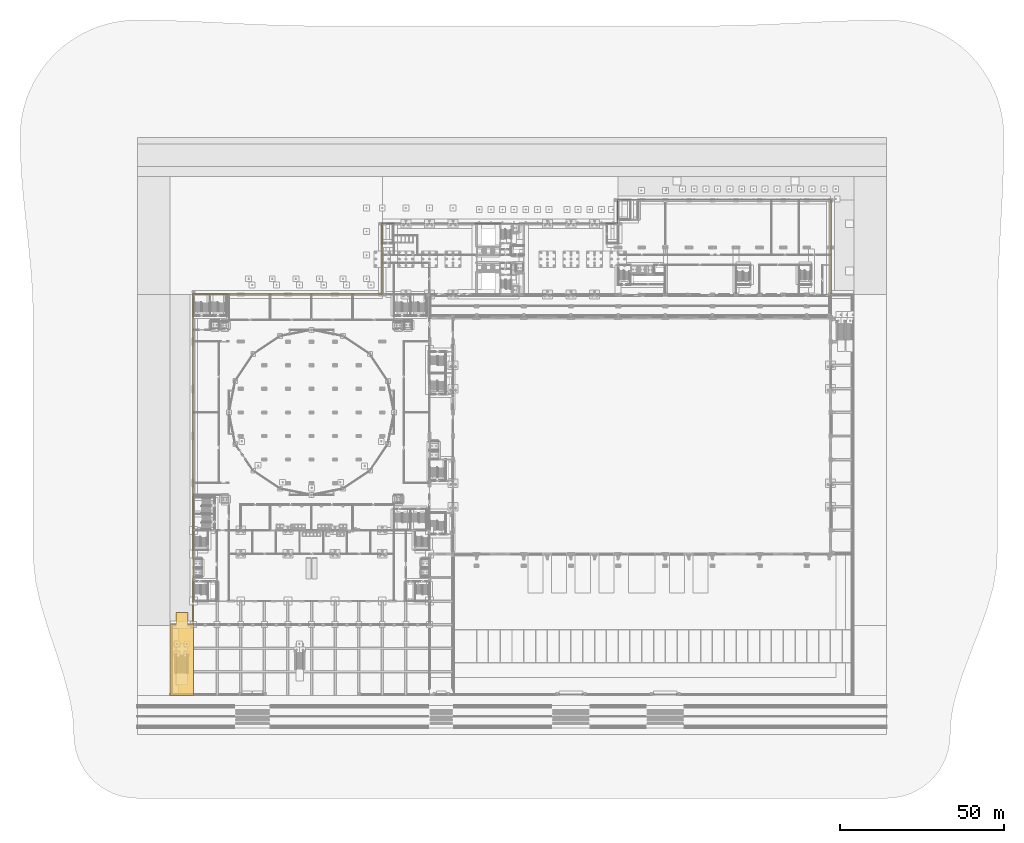
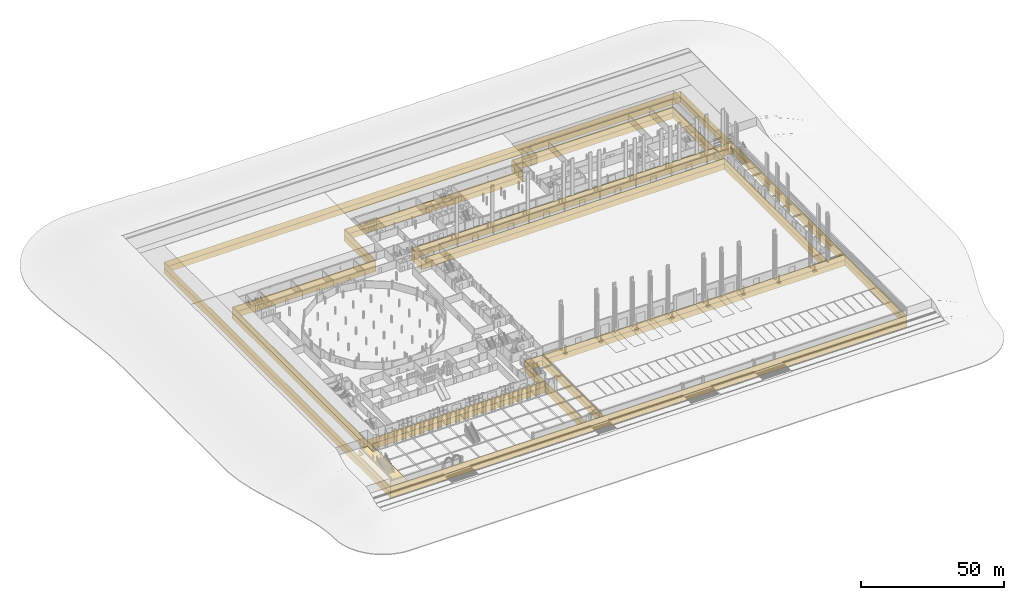
# One storey, part 126 of 148: 3 coverings.
"""IFC4 building model written with IfcOpenShell, lengths in metres."""

from ifc_helpers import new_model, si_unit, direction, frame, origin, place, context, subcontext, project, spatial, polyline, outline, extrude, material, layer, layer_set, type_object, element, save


model = new_model("IFC4")

# Units and contexts
model_context = context("Model", 3, precision=1e-05, world=origin(), true_north=direction((0.0, 1.0)))
body_context = subcontext(model_context, "Body", "Model", "MODEL_VIEW")
ifc_project = project(units=[si_unit("LENGTHUNIT", "METRE"), si_unit("AREAUNIT", "SQUARE_METRE"), si_unit("VOLUMEUNIT", "CUBIC_METRE"), si_unit("PLANEANGLEUNIT", "RADIAN"), si_unit("MASSUNIT", "GRAM", prefix="KILO")], contexts=[model_context])

# Site, building, storey
site_placement = place(None, origin())
site = spatial("IfcSite", under=ifc_project, at=site_placement, CompositionType="ELEMENT")
building_placement = place(site_placement, origin())
building = spatial("IfcBuilding", under=site, at=building_placement, Name="Kupolbacken Congress Centre", CompositionType="ELEMENT")
storey_placement = place(building_placement, origin())
storey = spatial("IfcBuildingStorey", under=building, at=storey_placement, Name="L00", CompositionType="ELEMENT", Elevation=0.0)

# Coverings
ifc_material_1 = material(Name="Grass", Category="soil")
ifc_layer_1 = layer(ifc_material_1, 0.10009765625)
ifc_layer_set_1 = layer_set([ifc_layer_1], Name="Grass")
covering_type_1 = type_object("IfcCoveringType", Name="GR2 grass surface 100", PredefinedType="FLOORING", material=ifc_layer_set_1)
covering_1_placement = place(storey_placement, frame((0.0, 0.0, -0.10009765625)))
element("IfcCovering", 1, at=covering_1_placement, inside=storey, type_object=covering_type_1, Name="Grass, plot levels", PredefinedType="FLOORING", context=body_context, shape_type="SweptSolid", body=[
    extrude(outline(polyline([(0.0, 158.39990234375), (208.800048828125, 158.39990234375), (208.800048828125, 0.0), (0.0, 0.0), (0.0, 158.39990234375)]), holes=[polyline([(5.449951171875, 21.60009765625), (6.925048828125, 21.60009765625), (6.925048828125, 122.39990234375), (6.925048828125, 122.675048828125), (64.52490234375, 122.675048828125), (64.52490234375, 144.27490234375), (64.800048828125, 144.27490234375), (136.52490234375, 144.27490234375), (136.52490234375, 151.47509765625), (136.800048828125, 151.47509765625), (201.875, 151.47509765625), (201.875, 151.199951171875), (201.875, 122.39990234375), (208.799072265625, 122.39990234375), (208.799072265625, 151.199951171875), (208.799072265625, 158.39892578125), (136.800048828125, 158.39892578125), (64.800048828125, 158.39892578125), (0.0009765625, 158.39892578125), (0.0009765625, 122.39990234375), (0.0009765625, 21.60009765625), (1.75, 21.60009765625), (1.75, 25.25), (5.449951171875, 25.25), (5.449951171875, 21.60009765625)]), polyline([(208.798583984375, 43.199462890625), (86.400390625, 43.199462890625), (86.400390625, 0.00146484375), (208.798583984375, 0.00146484375), (208.798583984375, 43.199462890625)]), polyline([(208.798583984375, 43.200439453125), (208.798583984375, 122.3994140625), (201.6005859375, 122.3994140625), (201.6005859375, 43.200439453125), (208.798583984375, 43.200439453125)]), polyline([(7.199951171875, 28.800048828125), (79.199951171875, 28.800048828125), (79.199951171875, 43.199951171875), (86.39990234375, 43.199951171875), (201.60009765625, 43.199951171875), (201.60009765625, 115.199951171875), (86.39990234375, 115.199951171875), (79.199951171875, 115.199951171875), (79.199951171875, 122.39990234375), (136.800048828125, 122.39990234375), (151.199951171875, 122.39990234375), (201.60009765625, 122.39990234375), (201.60009765625, 151.199951171875), (151.199951171875, 151.199951171875), (136.800048828125, 151.199951171875), (136.800048828125, 144.0), (64.800048828125, 144.0), (64.800048828125, 122.39990234375), (7.199951171875, 122.39990234375), (7.199951171875, 50.39990234375), (7.199951171875, 28.800048828125)]), polyline([(201.599609375, 122.3994140625), (79.200439453125, 122.3994140625), (79.200439453125, 115.200439453125), (201.599609375, 115.200439453125), (201.599609375, 122.3994140625)]), polyline([(86.3994140625, 43.199462890625), (79.200439453125, 43.199462890625), (79.200439453125, 0.00146484375), (86.3994140625, 0.00146484375), (86.3994140625, 43.199462890625)]), polyline([(79.199462890625, 28.799560546875), (7.200439453125, 28.799560546875), (7.200439453125, 0.00146484375), (79.199462890625, 0.00146484375), (79.199462890625, 28.799560546875)])]), origin(), (0.0, 0.0, 1.0), 0.10009765625),
])
ifc_material_2 = material(Name="Made ground", Category="soil")
ifc_layer_2 = layer(ifc_material_2, 2.39990234375)
ifc_layer_set_2 = layer_set([ifc_layer_2], Name="Made ground")
covering_type_2 = type_object("IfcCoveringType", Name="GR5 earthworks, made ground", PredefinedType="FLOORING", material=ifc_layer_set_2)
covering_2_placement = place(storey_placement, frame((0.0, 0.0, -2.5)))
element("IfcCovering", 2, at=covering_2_placement, inside=storey, type_object=covering_type_2, Name="Earthworks, plot levels, made ground", PredefinedType="FLOORING", context=body_context, shape_type="SweptSolid", body=[
    extrude(outline(polyline([(0.0, 158.39990234375), (208.800048828125, 158.39990234375), (208.800048828125, 0.0), (0.0, 0.0), (0.0, 158.39990234375)]), holes=[polyline([(5.449951171875, 21.60009765625), (6.925048828125, 21.60009765625), (6.925048828125, 122.39990234375), (6.925048828125, 122.675048828125), (64.52490234375, 122.675048828125), (64.52490234375, 144.27490234375), (64.800048828125, 144.27490234375), (136.52490234375, 144.27490234375), (136.52490234375, 151.47509765625), (136.800048828125, 151.47509765625), (201.875, 151.47509765625), (201.875, 151.199951171875), (201.875, 122.39990234375), (208.799072265625, 122.39990234375), (208.799072265625, 151.199951171875), (208.799072265625, 158.39892578125), (136.800048828125, 158.39892578125), (64.800048828125, 158.39892578125), (0.0009765625, 158.39892578125), (0.0009765625, 122.39990234375), (0.0009765625, 21.60009765625), (1.75, 21.60009765625), (1.75, 25.25), (5.449951171875, 25.25), (5.449951171875, 21.60009765625)]), polyline([(208.798583984375, 43.199462890625), (86.400390625, 43.199462890625), (86.400390625, 0.00146484375), (208.798583984375, 0.00146484375), (208.798583984375, 43.199462890625)]), polyline([(208.798583984375, 43.200439453125), (208.798583984375, 122.3994140625), (201.6005859375, 122.3994140625), (201.6005859375, 43.200439453125), (208.798583984375, 43.200439453125)]), polyline([(7.199951171875, 28.800048828125), (79.199951171875, 28.800048828125), (79.199951171875, 43.199951171875), (86.39990234375, 43.199951171875), (201.60009765625, 43.199951171875), (201.60009765625, 115.199951171875), (86.39990234375, 115.199951171875), (79.199951171875, 115.199951171875), (79.199951171875, 122.39990234375), (136.800048828125, 122.39990234375), (151.199951171875, 122.39990234375), (201.60009765625, 122.39990234375), (201.60009765625, 151.199951171875), (151.199951171875, 151.199951171875), (136.800048828125, 151.199951171875), (136.800048828125, 144.0), (64.800048828125, 144.0), (64.800048828125, 122.39990234375), (7.199951171875, 122.39990234375), (7.199951171875, 50.39990234375), (7.199951171875, 28.800048828125)]), polyline([(201.599609375, 122.3994140625), (79.200439453125, 122.3994140625), (79.200439453125, 115.200439453125), (201.599609375, 115.200439453125), (201.599609375, 122.3994140625)]), polyline([(86.3994140625, 43.199462890625), (79.200439453125, 43.199462890625), (79.200439453125, 0.00146484375), (86.3994140625, 0.00146484375), (86.3994140625, 43.199462890625)]), polyline([(79.199462890625, 28.799560546875), (7.200439453125, 28.799560546875), (7.200439453125, 0.00146484375), (79.199462890625, 0.00146484375), (79.199462890625, 28.799560546875)])]), origin(), (0.0, 0.0, 1.0), 2.39990234375),
])
ifc_material_3 = material(Name="Clay till", Category="soil")
ifc_layer_3 = layer(ifc_material_3, 2.39990234375)
ifc_layer_set_3 = layer_set([ifc_layer_3], Name="Clay till")
covering_type_3 = type_object("IfcCoveringType", Name="GR6 earthworks, clay till", PredefinedType="FLOORING", material=ifc_layer_set_3)
covering_3_placement = place(storey_placement, frame((0.0, 0.0, -4.89990234375)))
element("IfcCovering", 3, at=covering_3_placement, inside=storey, type_object=covering_type_3, Name="Earthworks, plot levels, clay till", PredefinedType="FLOORING", context=body_context, shape_type="SweptSolid", body=[
    extrude(outline(polyline([(0.0, 158.39990234375), (208.800048828125, 158.39990234375), (208.800048828125, 0.0), (0.0, 0.0), (0.0, 158.39990234375)]), holes=[polyline([(5.449951171875, 21.60009765625), (6.925048828125, 21.60009765625), (6.925048828125, 122.39990234375), (6.925048828125, 122.675048828125), (64.52490234375, 122.675048828125), (64.52490234375, 144.27490234375), (64.800048828125, 144.27490234375), (136.52490234375, 144.27490234375), (136.52490234375, 151.47509765625), (136.800048828125, 151.47509765625), (201.875, 151.47509765625), (201.875, 151.199951171875), (201.875, 122.39990234375), (208.799072265625, 122.39990234375), (208.799072265625, 151.199951171875), (208.799072265625, 158.39892578125), (136.800048828125, 158.39892578125), (64.800048828125, 158.39892578125), (0.0009765625, 158.39892578125), (0.0009765625, 122.39990234375), (0.0009765625, 21.60009765625), (1.75, 21.60009765625), (1.75, 25.25), (5.449951171875, 25.25), (5.449951171875, 21.60009765625)]), polyline([(208.798583984375, 43.199462890625), (86.400390625, 43.199462890625), (86.400390625, 0.00146484375), (208.798583984375, 0.00146484375), (208.798583984375, 43.199462890625)]), polyline([(208.798583984375, 43.200439453125), (208.798583984375, 122.3994140625), (201.6005859375, 122.3994140625), (201.6005859375, 43.200439453125), (208.798583984375, 43.200439453125)]), polyline([(7.199951171875, 28.800048828125), (79.199951171875, 28.800048828125), (79.199951171875, 43.199951171875), (86.39990234375, 43.199951171875), (201.60009765625, 43.199951171875), (201.60009765625, 115.199951171875), (86.39990234375, 115.199951171875), (79.199951171875, 115.199951171875), (79.199951171875, 122.39990234375), (136.800048828125, 122.39990234375), (151.199951171875, 122.39990234375), (201.60009765625, 122.39990234375), (201.60009765625, 151.199951171875), (151.199951171875, 151.199951171875), (136.800048828125, 151.199951171875), (136.800048828125, 144.0), (64.800048828125, 144.0), (64.800048828125, 122.39990234375), (7.199951171875, 122.39990234375), (7.199951171875, 50.39990234375), (7.199951171875, 28.800048828125)]), polyline([(201.599609375, 122.3994140625), (79.200439453125, 122.3994140625), (79.200439453125, 115.200439453125), (201.599609375, 115.200439453125), (201.599609375, 122.3994140625)]), polyline([(86.3994140625, 43.199462890625), (79.200439453125, 43.199462890625), (79.200439453125, 0.00146484375), (86.3994140625, 0.00146484375), (86.3994140625, 43.199462890625)]), polyline([(79.199462890625, 28.799560546875), (7.200439453125, 28.799560546875), (7.200439453125, 0.00146484375), (79.199462890625, 0.00146484375), (79.199462890625, 28.799560546875)])]), origin(), (0.0, 0.0, 1.0), 2.39990234375),
])

save(model, "model.ifc")
